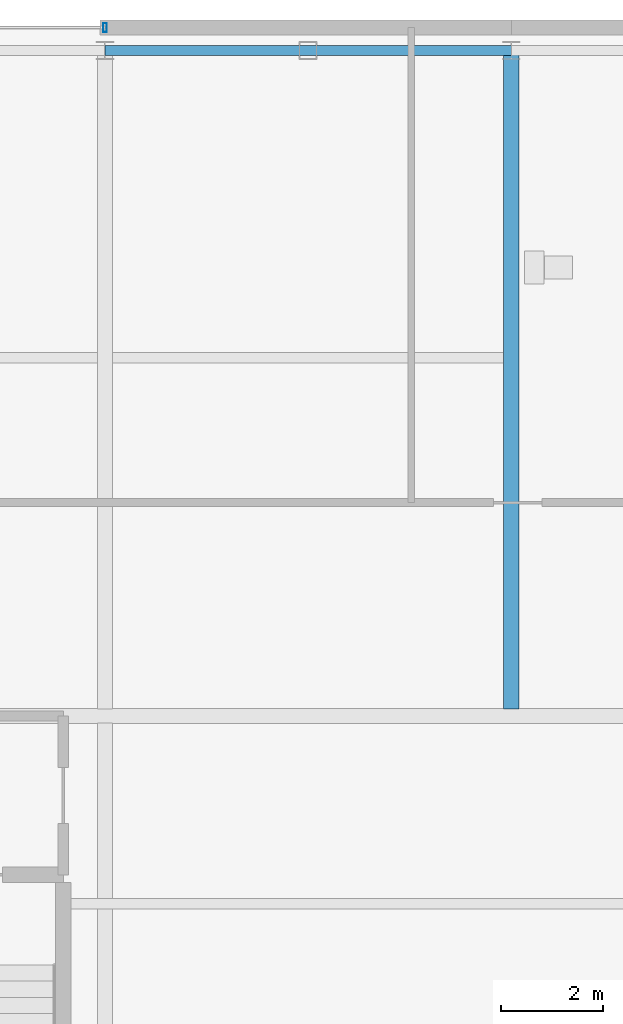
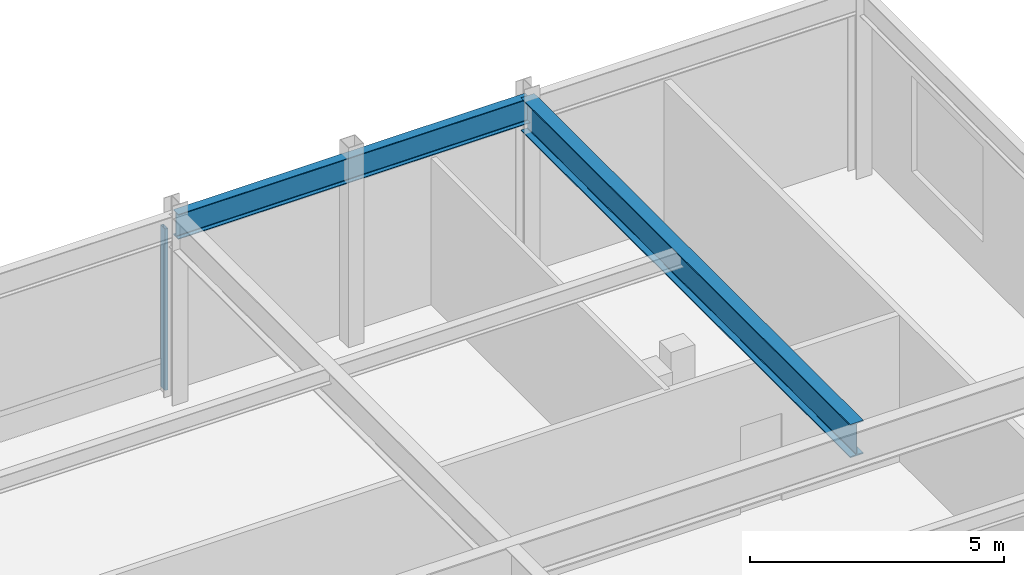
# One storey, part 16 of 26: 2 beams, 1 member, 1 element without a shape of its own.
"""IFC4 building model written with IfcOpenShell, lengths in metres."""

from ifc_helpers import new_model, si_unit, direction, frame, origin, origin_2d, place, context, subcontext, project, spatial, hollow_rectangle, i_section, extrude, material, layer, layer_set, material_profile, profile_set, type_object, element, aggregate, save


model = new_model("IFC4")

# Units and contexts
model_context = context("Model", 3, precision=1e-05, world=origin(), true_north=direction((0.0, 1.0)))
body_context = subcontext(model_context, "Body", "Model", "MODEL_VIEW")
ifc_project = project(units=[si_unit("LENGTHUNIT", "METRE"), si_unit("AREAUNIT", "SQUARE_METRE"), si_unit("VOLUMEUNIT", "CUBIC_METRE"), si_unit("PLANEANGLEUNIT", "RADIAN"), si_unit("MASSUNIT", "GRAM", prefix="KILO")], contexts=[model_context])

# Site, building, storey
site_placement = place(None, origin())
site = spatial("IfcSite", under=ifc_project, at=site_placement, CompositionType="ELEMENT")
building_placement = place(site_placement, origin())
building = spatial("IfcBuilding", under=site, at=building_placement, Name="Veldorina Hangang Commons", CompositionType="ELEMENT")
storey_placement = place(building_placement, frame((0.0, 0.0, 10.0)))
storey = spatial("IfcBuildingStorey", under=building, at=storey_placement, Name="L02", CompositionType="ELEMENT", Elevation=10.0)

# Beams
ifc_material_1 = material(Name="Steel SM460-TMC", Category="steel")
ifc_material_profile_1 = material_profile(ifc_material_1, i_section(OverallWidth=0.300048828125, OverallDepth=0.800048828125, WebThickness=0.013916015625, FlangeThickness=0.02587890625, FilletRadius=0.02197265625, at=origin_2d()), Name="H-800x300x14x26")
ifc_profile_set_1 = profile_set([ifc_material_profile_1], Name="Steel SM460-TMC")
beam_type_1 = type_object("IfcBeamType", Name="BM-PG800", PredefinedType="BEAM", material=ifc_profile_set_1)
beam_1_placement = place(storey_placement, frame((52.0, 31.590087890625, 4.10009765625), z_axis=(0.0, 1.0, 0.0), x_axis=(-1.0, 0.0, 0.0)))
element("IfcBeam", 1, at=beam_1_placement, inside=storey, type_object=beam_type_1, Name="L02 north primary girder G8", PredefinedType="BEAM", context=body_context, shape_type="SweptSolid", body=[
    extrude(i_section(OverallWidth=0.300048828125, OverallDepth=0.800048828125, WebThickness=0.013916015625, FlangeThickness=0.02587890625, FilletRadius=0.02197265625, at=origin_2d()), origin(), (0.0, 0.0, 1.0), 12.9599609375),
])
ifc_material_2 = material(Name="Steel SM420-TMC", Category="steel")
ifc_material_profile_2 = material_profile(ifc_material_2, i_section(OverallWidth=0.199951171875, OverallDepth=0.60009765625, WebThickness=0.010986328125, FlangeThickness=0.01708984375, FilletRadius=0.01806640625, at=origin_2d()), Name="H-600x200x11x17")
ifc_profile_set_2 = profile_set([ifc_material_profile_2], Name="Steel SM420-TMC")
beam_type_2 = type_object("IfcBeamType", Name="BM-SPN600", PredefinedType="SPANDREL", material=ifc_profile_set_2)
beam_2_placement = place(storey_placement, frame((44.0, 44.550048828125, 4.199951171875), z_axis=(1.0, 0.0, 0.0), x_axis=(0.0, 1.0, 0.0)))
element("IfcBeam", 2, at=beam_2_placement, inside=storey, type_object=beam_type_2, Name="L02 north spandrel beam 5", PredefinedType="SPANDREL", context=body_context, shape_type="SweptSolid", body=[
    extrude(i_section(OverallWidth=0.199951171875, OverallDepth=0.60009765625, WebThickness=0.010986328125, FlangeThickness=0.01708984375, FilletRadius=0.01806640625, at=origin_2d()), origin(), (0.0, 0.0, 1.0), 8.0),
])

# Curtain wall, member
ifc_material_3 = material(Name="Glass Low-E Triple IGU", Category="glass")
ifc_layer = layer(ifc_material_3, 0.179931640625)
ifc_layer_set = layer_set([ifc_layer], Name="Glass Low-E Triple IGU")
curtain_wall_type = type_object("IfcCurtainWallType", Name="CW-SYS-POD", PredefinedType="NOTDEFINED", material=ifc_layer_set)
curtain_wall_placement = place(storey_placement, origin())
curtain_wall = element("IfcCurtainWall", 3, at=curtain_wall_placement, inside=storey, type_object=curtain_wall_type, Name="L02 unitised curtain wall CW-L02-N-CTR", PredefinedType="NOTDEFINED")
ifc_material_4 = material(Name="Aluminium Anodized AA6063-T6", Category="aluminium")
ifc_material_profile_3 = material_profile(ifc_material_4, hollow_rectangle(XDim=0.070068359375, YDim=0.179931640625, WallThickness=0.00390625, at=origin_2d()), Name="ALU-RHS-180x70x4")
ifc_profile_set_3 = profile_set([ifc_material_profile_3], Name="Aluminium Anodized AA6063-T6")
member_type = type_object("IfcMemberType", Name="CW-MUL-180", PredefinedType="MULLION", material=ifc_profile_set_3)
member_placement = place(storey_placement, frame((44.0, 45.0, 0.0), z_axis=(0.0, 0.0, 1.0), x_axis=(-1.0, 0.0, 0.0)))
member = element("IfcMember", 4, at=member_placement, type_object=member_type, Name="CW-L02-N-CTR vertical mullion 1", PredefinedType="MULLION", context=body_context, shape_type="SweptSolid", body=[
    extrude(hollow_rectangle(XDim=0.070068359375, YDim=0.179931640625, WallThickness=0.00390625, at=origin_2d()), origin(), (0.0, 0.0, 1.0), 3.8798828125),
])
aggregate(curtain_wall, [member])

save(model, "model.ifc")
